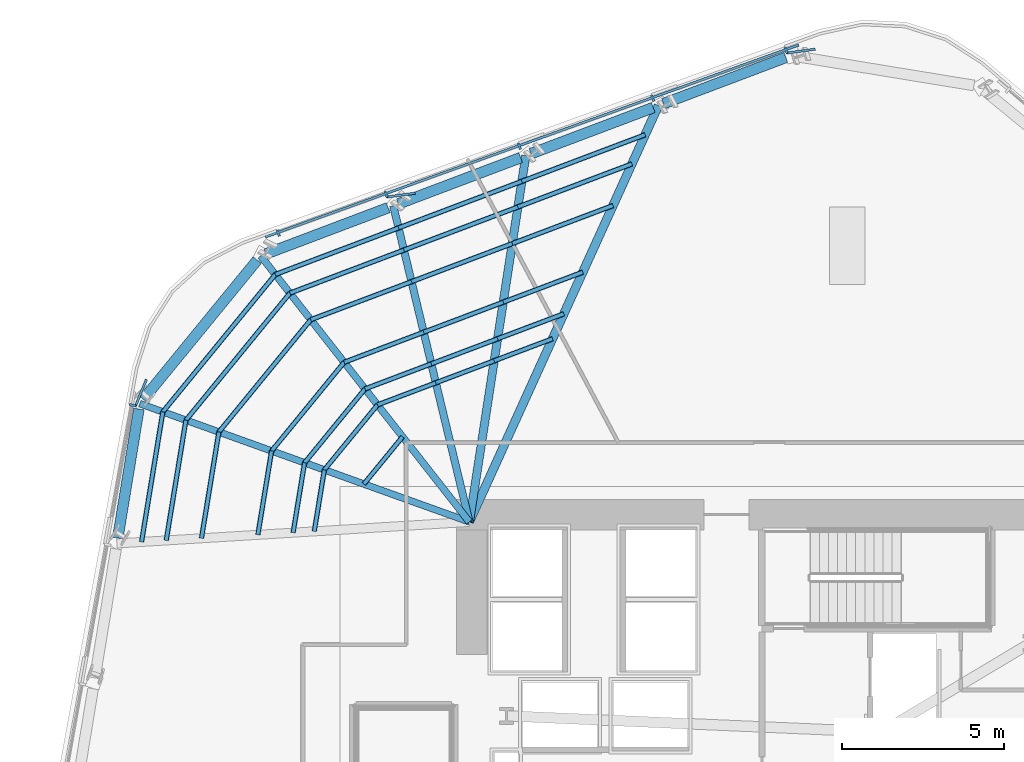
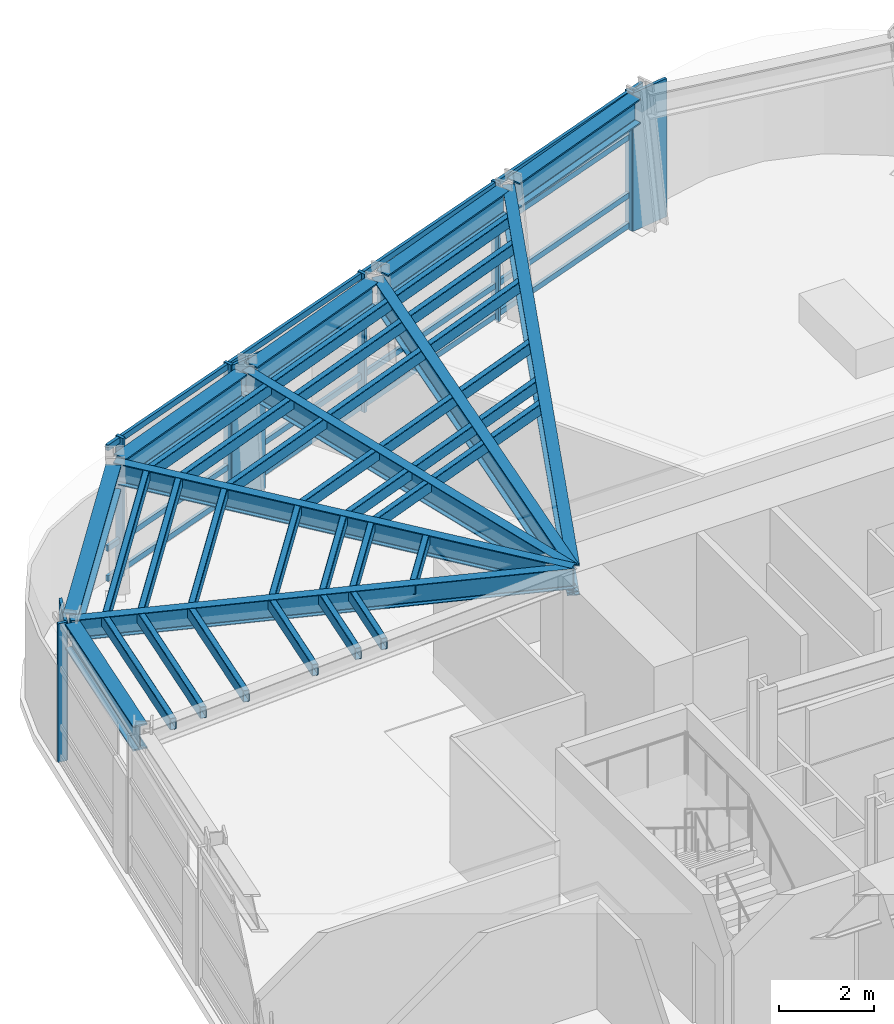
# One storey, part 6 of 18: 44 members, 11 beams, 2 elements without a shape of their own.
"""IFC4 building model written with IfcOpenShell, lengths in metres."""

from ifc_helpers import new_model, si_unit, direction, frame, origin, origin_2d, place, context, subcontext, project, spatial, rectangle, hollow_rectangle, i_section, extrude, material, layer, layer_set, material_profile, profile_set, type_object, element, aggregate, save


model = new_model("IFC4")

# Units and contexts
model_context = context("Model", 3, precision=1e-05, world=origin(), true_north=direction((0.0, 1.0)))
body_context = subcontext(model_context, "Body", "Model", "MODEL_VIEW")
ifc_project = project(units=[si_unit("LENGTHUNIT", "METRE"), si_unit("AREAUNIT", "SQUARE_METRE"), si_unit("VOLUMEUNIT", "CUBIC_METRE"), si_unit("PLANEANGLEUNIT", "RADIAN"), si_unit("MASSUNIT", "GRAM", prefix="KILO")], contexts=[model_context])

# Site, building, storey
site_placement = place(None, origin())
site = spatial("IfcSite", under=ifc_project, at=site_placement, CompositionType="ELEMENT")
building_placement = place(site_placement, origin())
building = spatial("IfcBuilding", under=site, at=building_placement, Name="Valkerne Bourse Tower", CompositionType="ELEMENT")
storey_placement = place(building_placement, frame((0.0, 0.0, 108.60009765625)))
storey = spatial("IfcBuildingStorey", under=building, at=storey_placement, Name="L27", CompositionType="ELEMENT", Elevation=108.60009765625)

# Beams
ifc_material_1 = material(Name="Steel ASTM A992", Category="steel")
ifc_material_profile_1 = material_profile(ifc_material_1, i_section(OverallWidth=0.209228515625, OverallDepth=0.533447265625, WebThickness=0.01025390625, FlangeThickness=0.015625, FilletRadius=0.017822265625, at=origin_2d()), Name="W21X62")
ifc_profile_set_1 = profile_set([ifc_material_profile_1], Name="Steel ASTM A992")
beam_type_1 = type_object("IfcBeamType", Name="BM-W21X62", PredefinedType="JOIST", material=ifc_profile_set_1)
beam_1_placement = place(storey_placement, frame((27.406005859375, 39.05859375, 3.313232421875), z_axis=(0.941215989346, -0.337805360229, 0.0), x_axis=(0.337805360229, 0.941215989346, 0.0)))
element("IfcBeam", 1, at=beam_1_placement, inside=storey, type_object=beam_type_1, Name="L27 Radial Composite Floor Beam 10", PredefinedType="JOIST", context=body_context, shape_type="SweptSolid", body=[
    extrude(i_section(OverallWidth=0.209228515625, OverallDepth=0.533447265625, WebThickness=0.01025390625, FlangeThickness=0.015625, FilletRadius=0.017822265625, at=origin_2d()), origin(), (0.0, 0.0, 1.0), 10.830810546875),
])
ifc_material_profile_2 = material_profile(ifc_material_1, i_section(OverallWidth=0.2138671875, OverallDepth=0.548583984375, WebThickness=0.0146484375, FlangeThickness=0.023681640625, FilletRadius=0.017822265625, at=origin_2d()), Name="W21X93")
ifc_profile_set_2 = profile_set([ifc_material_profile_2], Name="Steel ASTM A992")
beam_type_2 = type_object("IfcBeamType", Name="BM-W21X93", PredefinedType="BEAM", material=ifc_profile_set_2)
beam_2_placement = place(storey_placement, frame((31.14599609375, 43.627685546875, 3.3056640625), z_axis=(0.617195485754, -0.786809845112, 0.0), x_axis=(0.786809845112, 0.617195485754, 0.0)))
element("IfcBeam", 2, at=beam_2_placement, inside=storey, type_object=beam_type_2, Name="L27 Radial Composite Floor Beam 09", PredefinedType="BEAM", context=body_context, shape_type="SweptSolid", body=[
    extrude(i_section(OverallWidth=0.2138671875, OverallDepth=0.548583984375, WebThickness=0.0146484375, FlangeThickness=0.023681640625, FilletRadius=0.017822265625, at=origin_2d()), origin(), (0.0, 0.0, 1.0), 10.45703125),
])
ifc_material_profile_3 = material_profile(ifc_material_1, i_section(OverallWidth=0.330078125, OverallDepth=0.647705078125, WebThickness=0.0205078125, FlangeThickness=0.037109375, FilletRadius=0.020263671875, at=origin_2d()), Name="W24X192")
ifc_profile_set_3 = profile_set([ifc_material_profile_3], Name="Steel ASTM A992")
beam_type_3 = type_object("IfcBeamType", Name="BM-W24X192", PredefinedType="SPANDREL", material=ifc_profile_set_3)
for number, where, z_axis, x_axis, name in (
    (3, (47.38720703125, 49.764892578125, 3.256103515625), (-0.935442812601, -0.35347806771, 0.0), (0.35347806771, -0.935442812601, 0.0), "L27 Hexagonal Spandrel Ring Beam 05"),
    (4, (43.287109375, 48.215576171875, 3.256103515625), (-0.935462777462, -0.353425228278, 0.0), (0.353425228278, -0.935462777462, 0.0), "L27 Hexagonal Spandrel Ring Beam 06"),
):
    element("IfcBeam", number, at=place(storey_placement, frame(where, z_axis=z_axis, x_axis=x_axis)), inside=storey, type_object=beam_type_3, Name=name, PredefinedType="SPANDREL", context=body_context, shape_type="SweptSolid", body=[
        extrude(i_section(OverallWidth=0.330078125, OverallDepth=0.647705078125, WebThickness=0.0205078125, FlangeThickness=0.037109375, FilletRadius=0.020263671875, at=origin_2d()), origin(), (0.0, 0.0, 1.0), 4.043212890625),
    ])
for number, where, z_axis, x_axis, name in (
    (5, (39.18701171875, 46.666259765625, 3.256103515625), (-0.935455234344, -0.353445193119, 0.0), (0.353445193119, -0.935455234344, 0.0), "L27 Hexagonal Spandrel Ring Beam 07"),
    (6, (35.0869140625, 45.116943359375, 3.256103515625), (-0.935455234344, -0.353445193119, 0.0), (0.353445193119, -0.935455234344, 0.0), "L27 Hexagonal Spandrel Ring Beam 08"),
):
    element("IfcBeam", number, at=place(storey_placement, frame(where, z_axis=z_axis, x_axis=x_axis)), inside=storey, type_object=beam_type_3, Name=name, PredefinedType="SPANDREL", context=body_context, shape_type="SweptSolid", body=[
        extrude(i_section(OverallWidth=0.330078125, OverallDepth=0.647705078125, WebThickness=0.0205078125, FlangeThickness=0.037109375, FilletRadius=0.020263671875, at=origin_2d()), origin(), (0.0, 0.0, 1.0), 4.04296875),
    ])
beam_3_placement = place(storey_placement, frame((31.0380859375, 43.49609375, 3.256103515625), z_axis=(-0.633362027376, -0.773855634003, 0.0), x_axis=(0.773855634003, -0.633362027376, 0.0)))
element("IfcBeam", 7, at=beam_3_placement, inside=storey, type_object=beam_type_3, Name="L27 Hexagonal Spandrel Ring Beam 09", PredefinedType="SPANDREL", context=body_context, shape_type="SweptSolid", body=[
    extrude(i_section(OverallWidth=0.330078125, OverallDepth=0.647705078125, WebThickness=0.0205078125, FlangeThickness=0.037109375, FilletRadius=0.020263671875, at=origin_2d()), origin(), (0.0, 0.0, 1.0), 5.564208984375),
])
beam_4_placement = place(storey_placement, frame((27.378662109375, 38.890869140625, 3.256103515625), z_axis=(-0.161588008685, -0.986858305659, 0.0), x_axis=(0.986858305659, -0.161588008685, 0.0)))
element("IfcBeam", 8, at=beam_4_placement, inside=storey, type_object=beam_type_3, Name="L27 Hexagonal Spandrel Ring Beam 10", PredefinedType="SPANDREL", context=body_context, shape_type="SweptSolid", body=[
    extrude(i_section(OverallWidth=0.330078125, OverallDepth=0.647705078125, WebThickness=0.0205078125, FlangeThickness=0.037109375, FilletRadius=0.020263671875, at=origin_2d()), origin(), (0.0, 0.0, 1.0), 4.043212890625),
])
ifc_material_profile_4 = material_profile(ifc_material_1, i_section(OverallWidth=0.228271484375, OverallDepth=0.607177734375, WebThickness=0.01123046875, FlangeThickness=0.017333984375, FilletRadius=0.017822265625, at=origin_2d()), Name="W24X76")
ifc_profile_set_4 = profile_set([ifc_material_profile_4], Name="Steel ASTM A992")
beam_type_4 = type_object("IfcBeamType", Name="BM-W24X76", PredefinedType="JOIST", material=ifc_profile_set_4)
beam_5_placement = place(storey_placement, frame((35.24609375, 45.177001953125, 3.2763671875), z_axis=(0.234078060337, -0.972217805674, 0.0), x_axis=(0.972217805674, 0.234078060337, 0.0)))
element("IfcBeam", 9, at=beam_5_placement, inside=storey, type_object=beam_type_4, Name="L27 Radial Composite Floor Beam 08", PredefinedType="JOIST", context=body_context, shape_type="SweptSolid", body=[
    extrude(i_section(OverallWidth=0.228271484375, OverallDepth=0.607177734375, WebThickness=0.01123046875, FlangeThickness=0.017333984375, FilletRadius=0.017822265625, at=origin_2d()), origin(), (0.0, 0.0, 1.0), 10.056396484375),
])
ifc_material_profile_5 = material_profile(ifc_material_1, i_section(OverallWidth=0.255859375, OverallDepth=0.693359375, WebThickness=0.014404296875, FlangeThickness=0.023681640625, FilletRadius=0.02294921875, at=origin_2d()), Name="W27X114")
ifc_profile_set_5 = profile_set([ifc_material_profile_5], Name="Steel ASTM A992")
beam_type_5 = type_object("IfcBeamType", Name="BM-W27X114", PredefinedType="BEAM", material=ifc_profile_set_5)
beam_6_placement = place(storey_placement, frame((39.345947265625, 46.726318359375, 3.233154296875), z_axis=(-0.152340525376, -0.988328065132, 0.0), x_axis=(0.988328065132, -0.152340525376, 0.0)))
element("IfcBeam", 10, at=beam_6_placement, inside=storey, type_object=beam_type_5, Name="L27 Radial Composite Floor Beam 07", PredefinedType="BEAM", context=body_context, shape_type="SweptSolid", body=[
    extrude(i_section(OverallWidth=0.255859375, OverallDepth=0.693359375, WebThickness=0.014404296875, FlangeThickness=0.023681640625, FilletRadius=0.02294921875, at=origin_2d()), origin(), (0.0, 0.0, 1.0), 11.460205078125),
])
ifc_material_profile_6 = material_profile(ifc_material_1, i_section(OverallWidth=0.26806640625, OverallDepth=0.76953125, WebThickness=0.015625, FlangeThickness=0.025390625, FilletRadius=0.025390625, at=origin_2d()), Name="W30X132")
ifc_profile_set_6 = profile_set([ifc_material_profile_6], Name="Steel ASTM A992")
beam_type_6 = type_object("IfcBeamType", Name="BM-W30X132", PredefinedType="BEAM", material=ifc_profile_set_6)
beam_7_placement = place(storey_placement, frame((43.446044921875, 48.275634765625, 3.195068359375), z_axis=(-0.413412667865, -0.910543774922, 0.0), x_axis=(0.910543774922, -0.413412667865, 0.0)))
element("IfcBeam", 11, at=beam_7_placement, inside=storey, type_object=beam_type_6, Name="L27 Radial Composite Floor Beam 06", PredefinedType="BEAM", context=body_context, shape_type="SweptSolid", body=[
    extrude(i_section(OverallWidth=0.26806640625, OverallDepth=0.76953125, WebThickness=0.015625, FlangeThickness=0.025390625, FilletRadius=0.025390625, at=origin_2d()), origin(), (0.0, 0.0, 1.0), 14.140625),
])

# Curtain wall, members
ifc_material_2 = material(Name="Aluminium AA 6063-T6", Category="aluminium")
ifc_layer = layer(ifc_material_2, 0.22998046875)
ifc_layer_set = layer_set([ifc_layer], Name="Aluminium AA 6063-T6")
curtain_wall_type = type_object("IfcCurtainWallType", Name="CW-02", PredefinedType="NOTDEFINED", material=ifc_layer_set)
curtain_wall_1_placement = place(storey_placement, origin())
curtain_wall_1 = element("IfcCurtainWall", 12, at=curtain_wall_1_placement, inside=storey, type_object=curtain_wall_type, Name="L27 Hexagonal Stick Curtain Wall Face 2", PredefinedType="NOTDEFINED")
ifc_material_profile_7 = material_profile(ifc_material_2, rectangle(XDim=0.074951171875, YDim=0.199951171875, at=origin_2d()), Name="CWM-75X200")
ifc_profile_set_7 = profile_set([ifc_material_profile_7], Name="Aluminium AA 6063-T6")
member_type_1 = type_object("IfcMemberType", Name="CW-MUL-220X75", PredefinedType="MULLION", material=ifc_profile_set_7)
member_1_placement = place(storey_placement, frame((47.394287109375, 49.988037109375, 0.0), z_axis=(0.0, 0.0, 1.0), x_axis=(-0.94088043135, -0.338738857977, 0.0)))
member_1 = element("IfcMember", 13, at=member_1_placement, type_object=member_type_1, Name="CW-L27-F2 Jamb Mullion 00A", PredefinedType="MULLION", context=body_context, shape_type="SweptSolid", body=[
    extrude(rectangle(XDim=0.074951171875, YDim=0.199951171875, at=origin_2d()), origin(), (0.0, 0.0, 1.0), 3.579833984375),
])
member_2_placement = place(storey_placement, frame((43.2705078125, 48.50341796875, 0.0), z_axis=(0.0, 0.0, 1.0), x_axis=(-0.94088043135, -0.338738857977, 0.0)))
member_2 = element("IfcMember", 14, at=member_2_placement, type_object=member_type_1, Name="CW-L27-F2 Jamb Mullion 01A", PredefinedType="MULLION", context=body_context, shape_type="SweptSolid", body=[
    extrude(rectangle(XDim=0.074951171875, YDim=0.199951171875, at=origin_2d()), origin(), (0.0, 0.0, 1.0), 3.579833984375),
])
member_3_placement = place(storey_placement, frame((39.146484375, 47.0185546875, 0.0), z_axis=(0.0, 0.0, 1.0), x_axis=(-0.94088043135, -0.338738857977, 0.0)))
member_3 = element("IfcMember", 15, at=member_3_placement, type_object=member_type_1, Name="CW-L27-F2 Jamb Mullion 02A", PredefinedType="MULLION", context=body_context, shape_type="SweptSolid", body=[
    extrude(rectangle(XDim=0.074951171875, YDim=0.199951171875, at=origin_2d()), origin(), (0.0, 0.0, 1.0), 3.579833984375),
])
member_4_placement = place(storey_placement, frame((35.022705078125, 45.533935546875, 0.0), z_axis=(0.0, 0.0, 1.0), x_axis=(-0.940887702719, -0.338718660355, 0.0)))
member_4 = element("IfcMember", 16, at=member_4_placement, type_object=member_type_1, Name="CW-L27-F2 Jamb Mullion 03A", PredefinedType="MULLION", context=body_context, shape_type="SweptSolid", body=[
    extrude(rectangle(XDim=0.074951171875, YDim=0.199951171875, at=origin_2d()), origin(), (0.0, 0.0, 1.0), 3.579833984375),
])
member_5_placement = place(storey_placement, frame((31.68896484375, 44.333984375, 0.0), z_axis=(0.0, 0.0, 1.0), x_axis=(-0.940887702719, -0.338718660355, 0.0)))
member_5 = element("IfcMember", 17, at=member_5_placement, type_object=member_type_1, Name="CW-L27-F2 Jamb Mullion 03B", PredefinedType="MULLION", context=body_context, shape_type="SweptSolid", body=[
    extrude(rectangle(XDim=0.074951171875, YDim=0.199951171875, at=origin_2d()), origin(), (0.0, 0.0, 1.0), 3.579833984375),
])

# Curtain wall, member
curtain_wall_2_placement = place(storey_placement, origin())
curtain_wall_2 = element("IfcCurtainWall", 18, at=curtain_wall_2_placement, inside=storey, type_object=curtain_wall_type, Name="L27 Hexagonal Stick Curtain Wall Face 3", PredefinedType="NOTDEFINED")
member_6_placement = place(storey_placement, frame((27.18896484375, 39.008544921875, 0.0), z_axis=(0.0, 0.0, 1.0), x_axis=(-0.177090236741, -0.984194618991, 0.0)))
member_6 = element("IfcMember", 19, at=member_6_placement, type_object=member_type_1, Name="CW-L27-F3 Jamb Mullion 00A", PredefinedType="MULLION", context=body_context, shape_type="SweptSolid", body=[
    extrude(rectangle(XDim=0.074951171875, YDim=0.199951171875, at=origin_2d()), origin(), (0.0, 0.0, 1.0), 3.579833984375),
])
aggregate(curtain_wall_2, [member_6])

# Member
ifc_material_profile_8 = material_profile(ifc_material_2, rectangle(XDim=0.074951171875, YDim=0.14990234375, at=origin_2d()), Name="CWT-75X150")
ifc_profile_set_8 = profile_set([ifc_material_profile_8], Name="Aluminium AA 6063-T6")
member_type_2 = type_object("IfcMemberType", Name="CW-TRN-180X65", PredefinedType="USERDEFINED", material=ifc_profile_set_8)
member_7_placement = place(storey_placement, frame((47.78271484375, 50.149169921875, 0.119873046875), z_axis=(-0.940881908657, -0.338734754582, 0.0), x_axis=(0.338734754582, -0.940881908657, 0.0)))
member_7 = element("IfcMember", 20, at=member_7_placement, type_object=member_type_2, Name="CW-L27-F2 Continuous Face Transom 1", ObjectType="TRANSOM", PredefinedType="USERDEFINED", context=body_context, shape_type="SweptSolid", body=[
    extrude(rectangle(XDim=0.074951171875, YDim=0.14990234375, at=origin_2d()), origin(), (0.0, 0.0, 1.0), 17.531982421875),
])

member_8_placement = place(storey_placement, frame((47.78271484375, 50.149169921875, 0.89990234375), z_axis=(-0.940881908657, -0.338734754582, 0.0), x_axis=(0.338734754582, -0.940881908657, 0.0)))
member_8 = element("IfcMember", 21, at=member_8_placement, type_object=member_type_2, Name="CW-L27-F2 Continuous Face Transom 2", ObjectType="TRANSOM", PredefinedType="USERDEFINED", context=body_context, shape_type="SweptSolid", body=[
    extrude(rectangle(XDim=0.074951171875, YDim=0.14990234375, at=origin_2d()), origin(), (0.0, 0.0, 1.0), 17.531982421875),
])

member_9_placement = place(storey_placement, frame((47.78271484375, 50.149169921875, 2.39990234375), z_axis=(-0.940881908657, -0.338734754582, 0.0), x_axis=(0.338734754582, -0.940881908657, 0.0)))
member_9 = element("IfcMember", 22, at=member_9_placement, type_object=member_type_2, Name="CW-L27-F2 Continuous Face Transom 3", ObjectType="TRANSOM", PredefinedType="USERDEFINED", context=body_context, shape_type="SweptSolid", body=[
    extrude(rectangle(XDim=0.074951171875, YDim=0.14990234375, at=origin_2d()), origin(), (0.0, 0.0, 1.0), 17.531982421875),
])

member_10_placement = place(storey_placement, frame((47.78271484375, 50.149169921875, 3.5), z_axis=(-0.940881908657, -0.338734754582, 0.0), x_axis=(0.338734754582, -0.940881908657, 0.0)))
member_10 = element("IfcMember", 23, at=member_10_placement, type_object=member_type_2, Name="CW-L27-F2 Continuous Face Transom 4", ObjectType="TRANSOM", PredefinedType="USERDEFINED", context=body_context, shape_type="SweptSolid", body=[
    extrude(rectangle(XDim=0.074951171875, YDim=0.14990234375, at=origin_2d()), origin(), (0.0, 0.0, 1.0), 17.531982421875),
])

aggregate(curtain_wall_1, [member_7, member_8, member_9, member_10, member_1, member_2, member_3, member_4, member_5])

# Members
ifc_material_3 = material(Name="Bronze Anodised Aluminium AA 6063-T6", Category="aluminium")
ifc_material_profile_9 = material_profile(ifc_material_3, rectangle(XDim=0.070068359375, YDim=0.89990234375, at=origin_2d()), Name="FIN-70X900")
ifc_profile_set_9 = profile_set([ifc_material_profile_9], Name="Bronze Anodised Aluminium AA 6063-T6")
member_type_3 = type_object("IfcMemberType", Name="FIN-SOLAR-900", PredefinedType="USERDEFINED", material=ifc_profile_set_9)
for number, where, z_axis, x_axis, name in (
    (24, (47.850341796875, 49.9609375, 0.00390625), (0.0, 0.0, 1.0), (-0.132934673757, 0.991124801684, 0.0), "L27 Bronze Anodised Solar Fin F2-00"),
    (25, (35.478759765625, 45.5068359375, 0.00390625), (0.0, 0.0, 1.0), (-0.132915973411, 0.991127309689, 0.0), "L27 Bronze Anodised Solar Fin F2-03"),
    (26, (27.4404296875, 39.39013671875, 0.00390625), (0.0, 0.0, 1.0), (-0.925289852113, 0.379260714519, 0.0), "L27 Bronze Anodised Solar Fin F3-00"),
):
    element("IfcMember", number, at=place(storey_placement, frame(where, z_axis=z_axis, x_axis=x_axis)), inside=storey, type_object=member_type_3, Name=name, ObjectType="SOLAR_FIN", PredefinedType="USERDEFINED", context=body_context, shape_type="SweptSolid", body=[
        extrude(rectangle(XDim=0.070068359375, YDim=0.89990234375, at=origin_2d()), origin(), (0.0, 0.0, 1.0), 3.572021484375),
    ])
ifc_material_4 = material(Name="Steel ASTM A500 Grade C", Category="steel")
ifc_material_profile_10 = material_profile(ifc_material_4, hollow_rectangle(XDim=0.14990234375, YDim=0.300048828125, WallThickness=0.012451171875, OuterFilletRadius=0.02490234375, at=origin_2d()), Name="HSS300X150X12.5")
ifc_profile_set_10 = profile_set([ifc_material_profile_10], Name="Steel ASTM A500 Grade C")
member_type_4 = type_object("IfcMemberType", Name="MBR-HSS300X150X12.5", PredefinedType="PURLIN", material=ifc_profile_set_10)
member_11_placement = place(storey_placement, frame((35.53466796875, 38.032958984375, 3.419921875), z_axis=(-0.633385538229, -0.773836390953, 0.0), x_axis=(0.773836390953, -0.633385538229, 0.0)))
element("IfcMember", 27, at=member_11_placement, inside=storey, type_object=member_type_4, Name="L27 Secondary Composite Floor Purlin I-09", PredefinedType="PURLIN", context=body_context, shape_type="SweptSolid", body=[
    extrude(hollow_rectangle(XDim=0.14990234375, YDim=0.300048828125, WallThickness=0.012451171875, OuterFilletRadius=0.02490234375, at=origin_2d()), origin(), (0.0, 0.0, 1.0), 1.889404296875),
])
member_12_placement = place(storey_placement, frame((40.17236328125, 41.065185546875, 3.419921875), z_axis=(-0.935462793671, -0.353425185376, 0.0), x_axis=(0.353425185376, -0.935462793671, 0.0)))
element("IfcMember", 28, at=member_12_placement, inside=storey, type_object=member_type_4, Name="L27 Secondary Composite Floor Purlin K-06", PredefinedType="PURLIN", context=body_context, shape_type="SweptSolid", body=[
    extrude(hollow_rectangle(XDim=0.14990234375, YDim=0.300048828125, WallThickness=0.012451171875, OuterFilletRadius=0.02490234375, at=origin_2d()), origin(), (0.0, 0.0, 1.0), 1.9287109375),
])
for number, where, z_axis, x_axis, name in (
    (29, (38.3681640625, 40.383544921875, 3.419921875), (-0.935446979216, -0.353467041003, 0.0), (0.353467041003, -0.935446979216, 0.0), "L27 Secondary Composite Floor Purlin K-07"),
    (30, (36.564208984375, 39.701904296875, 3.419921875), (-0.935446979216, -0.353467041003, 0.0), (0.353467041003, -0.935446979216, 0.0), "L27 Secondary Composite Floor Purlin K-08"),
):
    element("IfcMember", number, at=place(storey_placement, frame(where, z_axis=z_axis, x_axis=x_axis)), inside=storey, type_object=member_type_4, Name=name, PredefinedType="PURLIN", context=body_context, shape_type="SweptSolid", body=[
        extrude(hollow_rectangle(XDim=0.14990234375, YDim=0.300048828125, WallThickness=0.012451171875, OuterFilletRadius=0.02490234375, at=origin_2d()), origin(), (0.0, 0.0, 1.0), 1.928466796875),
    ])
member_13_placement = place(storey_placement, frame((34.76025390625, 39.020263671875, 3.419921875), z_axis=(-0.63336571266, -0.773852617768, 0.0), x_axis=(0.773852617768, -0.63336571266, 0.0)))
element("IfcMember", 31, at=member_13_placement, inside=storey, type_object=member_type_4, Name="L27 Secondary Composite Floor Purlin K-09", PredefinedType="PURLIN", context=body_context, shape_type="SweptSolid", body=[
    extrude(hollow_rectangle(XDim=0.14990234375, YDim=0.300048828125, WallThickness=0.012451171875, OuterFilletRadius=0.02490234375, at=origin_2d()), origin(), (0.0, 0.0, 1.0), 2.59814453125),
])
member_14_placement = place(storey_placement, frame((33.11474609375, 37.009765625, 3.419921875), z_axis=(-0.161667908327, -0.986845219585, 0.0), x_axis=(0.986845219585, -0.161667908327, 0.0)))
element("IfcMember", 32, at=member_14_placement, inside=storey, type_object=member_type_4, Name="L27 Secondary Composite Floor Purlin K-10", PredefinedType="PURLIN", context=body_context, shape_type="SweptSolid", body=[
    extrude(hollow_rectangle(XDim=0.14990234375, YDim=0.300048828125, WallThickness=0.012451171875, OuterFilletRadius=0.02490234375, at=origin_2d()), origin(), (0.0, 0.0, 1.0), 1.928466796875),
])
for number, where, z_axis, x_axis, name in (
    (33, (40.52294921875, 41.837890625, 3.419921875), (-0.935442627137, -0.353478558522, 0.0), (0.353478558522, -0.935442627137, 0.0), "L27 Secondary Composite Floor Purlin M-06"),
    (34, (38.472900390625, 41.063232421875, 3.419921875), (-0.935428705605, -0.353515398152, 0.0), (0.353515398152, -0.935428705605, 0.0), "L27 Secondary Composite Floor Purlin M-07"),
    (35, (36.423095703125, 40.28857421875, 3.419921875), (-0.935442627137, -0.353478558522, 0.0), (0.353478558522, -0.935442627137, 0.0), "L27 Secondary Composite Floor Purlin M-08"),
):
    element("IfcMember", number, at=place(storey_placement, frame(where, z_axis=z_axis, x_axis=x_axis)), inside=storey, type_object=member_type_4, Name=name, PredefinedType="PURLIN", context=body_context, shape_type="SweptSolid", body=[
        extrude(hollow_rectangle(XDim=0.14990234375, YDim=0.300048828125, WallThickness=0.012451171875, OuterFilletRadius=0.02490234375, at=origin_2d()), origin(), (0.0, 0.0, 1.0), 2.19140625),
    ])
member_15_placement = place(storey_placement, frame((34.373046875, 39.513916015625, 3.419921875), z_axis=(-0.633359368342, -0.773857810281, 0.0), x_axis=(0.773857810281, -0.633359368342, 0.0)))
element("IfcMember", 36, at=member_15_placement, inside=storey, type_object=member_type_4, Name="L27 Secondary Composite Floor Purlin M-09", PredefinedType="PURLIN", context=body_context, shape_type="SweptSolid", body=[
    extrude(hollow_rectangle(XDim=0.14990234375, YDim=0.300048828125, WallThickness=0.012451171875, OuterFilletRadius=0.02490234375, at=origin_2d()), origin(), (0.0, 0.0, 1.0), 2.952392578125),
])
member_16_placement = place(storey_placement, frame((32.503173828125, 37.229248046875, 3.419921875), z_axis=(-0.161652305524, -0.986847775555, 0.0), x_axis=(0.986847775555, -0.161652305524, 0.0)))
element("IfcMember", 37, at=member_16_placement, inside=storey, type_object=member_type_4, Name="L27 Secondary Composite Floor Purlin M-10", PredefinedType="PURLIN", context=body_context, shape_type="SweptSolid", body=[
    extrude(hollow_rectangle(XDim=0.14990234375, YDim=0.300048828125, WallThickness=0.012451171875, OuterFilletRadius=0.02490234375, at=origin_2d()), origin(), (0.0, 0.0, 1.0), 2.19140625),
])
for number, where, z_axis, x_axis, name in (
    (38, (42.04296875, 45.185546875, 3.419921875), (-0.935437628241, -0.353491787276, 0.0), (0.353491787276, -0.935437628241, 0.0), "L27 Secondary Composite Floor Purlin O-06"),
    (39, (38.927001953125, 44.008056640625, 3.419921875), (-0.935437628241, -0.353491787276, 0.0), (0.353491787276, -0.935437628241, 0.0), "L27 Secondary Composite Floor Purlin O-07"),
):
    element("IfcMember", number, at=place(storey_placement, frame(where, z_axis=z_axis, x_axis=x_axis)), inside=storey, type_object=member_type_4, Name=name, PredefinedType="PURLIN", context=body_context, shape_type="SweptSolid", body=[
        extrude(hollow_rectangle(XDim=0.14990234375, YDim=0.300048828125, WallThickness=0.012451171875, OuterFilletRadius=0.02490234375, at=origin_2d()), origin(), (0.0, 0.0, 1.0), 3.3310546875),
    ])
member_17_placement = place(storey_placement, frame((35.81103515625, 42.83056640625, 3.419921875), z_axis=(-0.935446785722, -0.353467553082, 0.0), x_axis=(0.353467553082, -0.935446785722, 0.0)))
element("IfcMember", 40, at=member_17_placement, inside=storey, type_object=member_type_4, Name="L27 Secondary Composite Floor Purlin O-08", PredefinedType="PURLIN", context=body_context, shape_type="SweptSolid", body=[
    extrude(hollow_rectangle(XDim=0.14990234375, YDim=0.300048828125, WallThickness=0.012451171875, OuterFilletRadius=0.02490234375, at=origin_2d()), origin(), (0.0, 0.0, 1.0), 3.331298828125),
])
member_18_placement = place(storey_placement, frame((32.69482421875, 41.653076171875, 3.419921875), z_axis=(-0.633374060347, -0.773845785464, 0.0), x_axis=(0.773845785464, -0.633374060347, 0.0)))
element("IfcMember", 41, at=member_18_placement, inside=storey, type_object=member_type_4, Name="L27 Secondary Composite Floor Purlin O-09", PredefinedType="PURLIN", context=body_context, shape_type="SweptSolid", body=[
    extrude(hollow_rectangle(XDim=0.14990234375, YDim=0.300048828125, WallThickness=0.012451171875, OuterFilletRadius=0.02490234375, at=origin_2d()), origin(), (0.0, 0.0, 1.0), 4.487548828125),
])
member_19_placement = place(storey_placement, frame((29.8525390625, 38.180419921875, 3.419921875), z_axis=(-0.16161705843, -0.98685354862, 0.0), x_axis=(0.98685354862, -0.16161705843, 0.0)))
element("IfcMember", 42, at=member_19_placement, inside=storey, type_object=member_type_4, Name="L27 Secondary Composite Floor Purlin O-10", PredefinedType="PURLIN", context=body_context, shape_type="SweptSolid", body=[
    extrude(hollow_rectangle(XDim=0.14990234375, YDim=0.300048828125, WallThickness=0.012451171875, OuterFilletRadius=0.02490234375, at=origin_2d()), origin(), (0.0, 0.0, 1.0), 3.330810546875),
])
for number, where, z_axis, x_axis, name in (
    (43, (41.107666015625, 43.12548828125, 3.419921875), (-0.935425707226, -0.353523331989, 0.0), (0.353523331989, -0.935425707226, 0.0), "L27 Secondary Composite Floor Purlin Z-06"),
    (44, (38.647705078125, 42.19580078125, 3.419921875), (-0.935468001615, -0.353411400431, 0.0), (0.353411400431, -0.935468001615, 0.0), "L27 Secondary Composite Floor Purlin Z-07"),
    (45, (36.1875, 41.266357421875, 3.419921875), (-0.935425707226, -0.353523331989, 0.0), (0.353523331989, -0.935425707226, 0.0), "L27 Secondary Composite Floor Purlin Z-08"),
):
    element("IfcMember", number, at=place(storey_placement, frame(where, z_axis=z_axis, x_axis=x_axis)), inside=storey, type_object=member_type_4, Name=name, PredefinedType="PURLIN", context=body_context, shape_type="SweptSolid", body=[
        extrude(hollow_rectangle(XDim=0.14990234375, YDim=0.300048828125, WallThickness=0.012451171875, OuterFilletRadius=0.02490234375, at=origin_2d()), origin(), (0.0, 0.0, 1.0), 2.6298828125),
    ])
member_20_placement = place(storey_placement, frame((33.7275390625, 40.336669921875, 3.419921875), z_axis=(-0.633387887887, -0.77383446775, 0.0), x_axis=(0.77383446775, -0.633387887887, 0.0)))
element("IfcMember", 46, at=member_20_placement, inside=storey, type_object=member_type_4, Name="L27 Secondary Composite Floor Purlin Z-09", PredefinedType="PURLIN", context=body_context, shape_type="SweptSolid", body=[
    extrude(hollow_rectangle(XDim=0.14990234375, YDim=0.300048828125, WallThickness=0.012451171875, OuterFilletRadius=0.02490234375, at=origin_2d()), origin(), (0.0, 0.0, 1.0), 3.542724609375),
])
member_21_placement = place(storey_placement, frame((31.483642578125, 37.59521484375, 3.419921875), z_axis=(-0.161628299432, -0.986851707615, 0.0), x_axis=(0.986851707615, -0.161628299432, 0.0)))
element("IfcMember", 47, at=member_21_placement, inside=storey, type_object=member_type_4, Name="L27 Secondary Composite Floor Purlin Z-10", PredefinedType="PURLIN", context=body_context, shape_type="SweptSolid", body=[
    extrude(hollow_rectangle(XDim=0.14990234375, YDim=0.300048828125, WallThickness=0.012451171875, OuterFilletRadius=0.02490234375, at=origin_2d()), origin(), (0.0, 0.0, 1.0), 2.6298828125),
])
member_22_placement = place(storey_placement, frame((42.627685546875, 46.47314453125, 3.419921875), z_axis=(-0.935434498695, -0.353500068814, 0.0), x_axis=(0.353500068814, -0.935434498695, 0.0)))
element("IfcMember", 48, at=member_22_placement, inside=storey, type_object=member_type_4, Name="L27 Secondary Composite Floor Purlin T-06", PredefinedType="PURLIN", context=body_context, shape_type="SweptSolid", body=[
    extrude(hollow_rectangle(XDim=0.14990234375, YDim=0.300048828125, WallThickness=0.012451171875, OuterFilletRadius=0.02490234375, at=origin_2d()), origin(), (0.0, 0.0, 1.0), 3.76953125),
])
member_23_placement = place(storey_placement, frame((39.1015625, 45.140625, 3.419921875), z_axis=(-0.93544782268, -0.353464808777, 0.0), x_axis=(0.353464808777, -0.93544782268, 0.0)))
element("IfcMember", 49, at=member_23_placement, inside=storey, type_object=member_type_4, Name="L27 Secondary Composite Floor Purlin T-07", PredefinedType="PURLIN", context=body_context, shape_type="SweptSolid", body=[
    extrude(hollow_rectangle(XDim=0.14990234375, YDim=0.300048828125, WallThickness=0.012451171875, OuterFilletRadius=0.02490234375, at=origin_2d()), origin(), (0.0, 0.0, 1.0), 3.769287109375),
])
member_24_placement = place(storey_placement, frame((35.57568359375, 43.808349609375, 3.419921875), z_axis=(-0.935434498695, -0.353500068814, 0.0), x_axis=(0.353500068814, -0.935434498695, 0.0)))
element("IfcMember", 50, at=member_24_placement, inside=storey, type_object=member_type_4, Name="L27 Secondary Composite Floor Purlin T-08", PredefinedType="PURLIN", context=body_context, shape_type="SweptSolid", body=[
    extrude(hollow_rectangle(XDim=0.14990234375, YDim=0.300048828125, WallThickness=0.012451171875, OuterFilletRadius=0.02490234375, at=origin_2d()), origin(), (0.0, 0.0, 1.0), 3.76953125),
])
member_25_placement = place(storey_placement, frame((32.049560546875, 42.475830078125, 3.419921875), z_axis=(-0.633392249162, -0.773830898001, 0.0), x_axis=(0.773830898001, -0.633392249162, 0.0)))
element("IfcMember", 51, at=member_25_placement, inside=storey, type_object=member_type_4, Name="L27 Secondary Composite Floor Purlin T-09", PredefinedType="PURLIN", context=body_context, shape_type="SweptSolid", body=[
    extrude(hollow_rectangle(XDim=0.14990234375, YDim=0.300048828125, WallThickness=0.012451171875, OuterFilletRadius=0.02490234375, at=origin_2d()), origin(), (0.0, 0.0, 1.0), 5.077880859375),
])
member_26_placement = place(storey_placement, frame((28.833251953125, 38.54638671875, 3.419921875), z_axis=(-0.16160440879, -0.986855620169, 0.0), x_axis=(0.986855620169, -0.16160440879, 0.0)))
element("IfcMember", 52, at=member_26_placement, inside=storey, type_object=member_type_4, Name="L27 Secondary Composite Floor Purlin T-10", PredefinedType="PURLIN", context=body_context, shape_type="SweptSolid", body=[
    extrude(hollow_rectangle(XDim=0.14990234375, YDim=0.300048828125, WallThickness=0.012451171875, OuterFilletRadius=0.02490234375, at=origin_2d()), origin(), (0.0, 0.0, 1.0), 3.769287109375),
])
for number, where, z_axis, x_axis, name in (
    (53, (43.036865234375, 47.37451171875, 3.419921875), (-0.935435126751, -0.353498406844, 0.0), (0.353498406844, -0.935435126751, 0.0), "L27 Secondary Composite Floor Purlin U-06"),
    (54, (39.223876953125, 45.93359375, 3.419921875), (-0.935435126751, -0.353498406844, 0.0), (0.353498406844, -0.935435126751, 0.0), "L27 Secondary Composite Floor Purlin U-07"),
):
    element("IfcMember", number, at=place(storey_placement, frame(where, z_axis=z_axis, x_axis=x_axis)), inside=storey, type_object=member_type_4, Name=name, PredefinedType="PURLIN", context=body_context, shape_type="SweptSolid", body=[
        extrude(hollow_rectangle(XDim=0.14990234375, YDim=0.300048828125, WallThickness=0.012451171875, OuterFilletRadius=0.02490234375, at=origin_2d()), origin(), (0.0, 0.0, 1.0), 4.076171875),
    ])
member_27_placement = place(storey_placement, frame((35.410888671875, 44.49267578125, 3.419921875), z_axis=(-0.935462413182, -0.35342619247, 0.0), x_axis=(0.35342619247, -0.935462413182, 0.0)))
element("IfcMember", 55, at=member_27_placement, inside=storey, type_object=member_type_4, Name="L27 Secondary Composite Floor Purlin U-08", PredefinedType="PURLIN", context=body_context, shape_type="SweptSolid", body=[
    extrude(hollow_rectangle(XDim=0.14990234375, YDim=0.300048828125, WallThickness=0.012451171875, OuterFilletRadius=0.02490234375, at=origin_2d()), origin(), (0.0, 0.0, 1.0), 4.076416015625),
])
member_28_placement = place(storey_placement, frame((31.59765625, 43.052001953125, 3.419921875), z_axis=(-0.633363675833, -0.77385428482, 0.0), x_axis=(0.77385428482, -0.633363675833, 0.0)))
element("IfcMember", 56, at=member_28_placement, inside=storey, type_object=member_type_4, Name="L27 Secondary Composite Floor Purlin U-09", PredefinedType="PURLIN", context=body_context, shape_type="SweptSolid", body=[
    extrude(hollow_rectangle(XDim=0.14990234375, YDim=0.300048828125, WallThickness=0.012451171875, OuterFilletRadius=0.02490234375, at=origin_2d()), origin(), (0.0, 0.0, 1.0), 5.491455078125),
])
member_29_placement = place(storey_placement, frame((28.11962890625, 38.802490234375, 3.419921875), z_axis=(-0.161591442123, -0.986857743463, 0.0), x_axis=(0.986857743463, -0.161591442123, 0.0)))
element("IfcMember", 57, at=member_29_placement, inside=storey, type_object=member_type_4, Name="L27 Secondary Composite Floor Purlin U-10", PredefinedType="PURLIN", context=body_context, shape_type="SweptSolid", body=[
    extrude(hollow_rectangle(XDim=0.14990234375, YDim=0.300048828125, WallThickness=0.012451171875, OuterFilletRadius=0.02490234375, at=origin_2d()), origin(), (0.0, 0.0, 1.0), 4.076171875),
])

save(model, "model.ifc")
